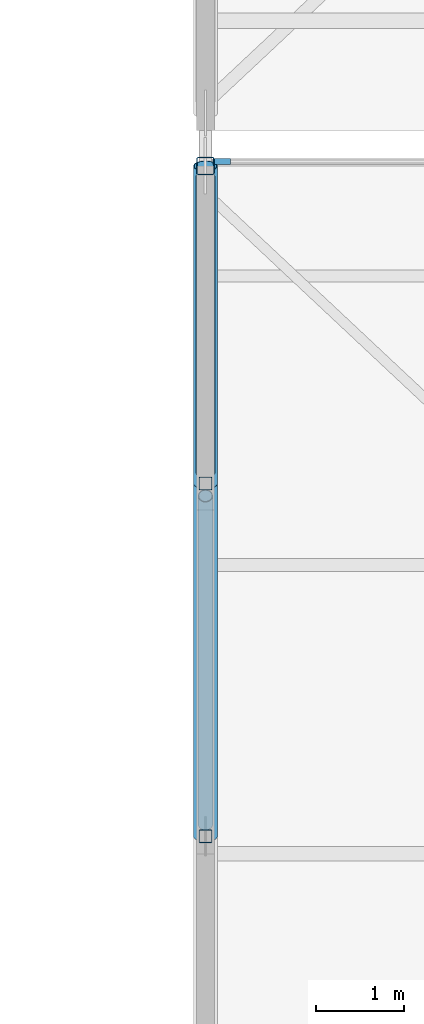
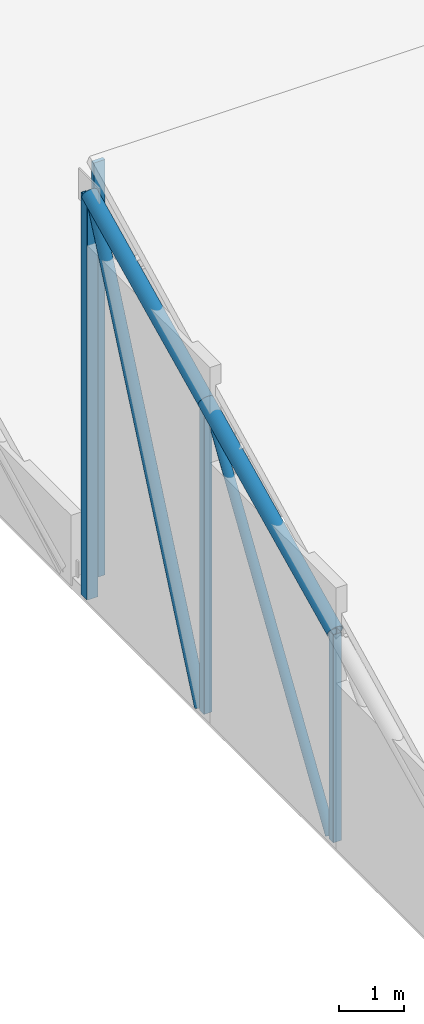
# One storey, part 39 of 137: 8 members, 1 element without a shape of its own.
"""IFC4 building model written with IfcOpenShell, lengths in metres."""

from ifc_helpers import new_model, si_unit, direction, frame, origin, origin_2d, place, context, subcontext, project, spatial, rectangle, hollow_rectangle, hollow_circle, extrude, material, layer, layer_set, material_profile, profile_set, type_object, element, aggregate, save


model = new_model("IFC4")

# Units and contexts
model_context = context("Model", 3, precision=1e-05, world=origin(), true_north=direction((0.0, 1.0)))
body_context = subcontext(model_context, "Body", "Model", "MODEL_VIEW")
ifc_project = project(units=[si_unit("LENGTHUNIT", "METRE"), si_unit("AREAUNIT", "SQUARE_METRE"), si_unit("VOLUMEUNIT", "CUBIC_METRE"), si_unit("PLANEANGLEUNIT", "RADIAN"), si_unit("MASSUNIT", "GRAM", prefix="KILO")], contexts=[model_context])

# Site, building, storey
site_placement = place(None, origin())
site = spatial("IfcSite", under=ifc_project, at=site_placement, CompositionType="ELEMENT")
building_placement = place(site_placement, origin())
building = spatial("IfcBuilding", under=site, at=building_placement, Name="Jelvoka-Kovrelna Polytechnic", CompositionType="ELEMENT")
storey_placement = place(building_placement, frame((0.0, 0.0, 9.60009765625)))
storey = spatial("IfcBuildingStorey", under=building, at=storey_placement, Name="L03", CompositionType="ELEMENT", Elevation=9.60009765625)

# Members
ifc_material_1 = material(Name="Structural steel S355J2H", Category="steel")
ifc_material_profile_1 = material_profile(ifc_material_1, hollow_circle(Radius=0.084228515625, WallThickness=0.008056640625, at=origin_2d()), Name="168.3x8.0 CHS")
ifc_profile_set_1 = profile_set([ifc_material_profile_1], Name="Structural steel S355J2H")
member_type_1 = type_object("IfcMemberType", Name="Member_Brace_CHS168", PredefinedType="BRACE", material=ifc_profile_set_1)
member_1_placement = place(storey_placement, frame((88.0, 96.139892578125, 0.14990234375), z_axis=(0.0, 0.5415746521, 0.840652660855), x_axis=(-1.0, 0.0, 0.0)))
element("IfcMember", 1, at=member_1_placement, inside=storey, type_object=member_type_1, Name="Sawtooth truss 1 diagonal web 1.3", PredefinedType="BRACE", context=body_context, shape_type="SweptSolid", body=[
    extrude(hollow_circle(Radius=0.084228515625, WallThickness=0.008056640625, at=origin_2d()), origin(), (0.0, 0.0, 1.0), 6.869140625),
])
ifc_material_2 = material(Name="Structural steel S355J2H", Category="steel")
ifc_material_profile_2 = material_profile(ifc_material_2, hollow_circle(Radius=0.109619140625, WallThickness=0.008056640625, at=origin_2d()), Name="219.1x8.0 CHS")
ifc_profile_set_2 = profile_set([ifc_material_profile_2], Name="Structural steel S355J2H")
member_type_2 = type_object("IfcMemberType", Name="Member_Brace_CHS219", PredefinedType="BRACE", material=ifc_profile_set_2)
member_2_placement = place(storey_placement, frame((88.0, 100.139892578125, 0.14990234375), z_axis=(0.0, 0.404336237521, 0.914610412705), x_axis=(-1.0, 0.0, 0.0)))
element("IfcMember", 2, at=member_2_placement, inside=storey, type_object=member_type_2, Name="Sawtooth truss 1 diagonal web 1.4", PredefinedType="BRACE", context=body_context, shape_type="SweptSolid", body=[
    extrude(hollow_circle(Radius=0.109619140625, WallThickness=0.008056640625, at=origin_2d()), origin(), (0.0, 0.0, 1.0), 8.211181640625),
])
ifc_material_3 = material(Name="Structural steel S355J2H", Category="steel")
ifc_material_profile_3 = material_profile(ifc_material_3, hollow_circle(Radius=0.136474609375, WallThickness=0.010009765625, at=origin_2d()), Name="273.0x10.0 CHS")
ifc_profile_set_3 = profile_set([ifc_material_profile_3], Name="Structural steel S355J2H")
member_type_3 = type_object("IfcMemberType", Name="Member_Chord_CHS273", PredefinedType="CHORD", material=ifc_profile_set_3)
member_3_placement = place(storey_placement, frame((88.0, 96.0, 4.076416015625), z_axis=(0.0, 0.900820911068, 0.434190840741), x_axis=(-1.0, 0.0, 0.0)))
element("IfcMember", 3, at=member_3_placement, inside=storey, type_object=member_type_3, Name="Sawtooth truss 1 top chord 1.3", PredefinedType="CHORD", context=body_context, shape_type="SweptSolid", body=[
    extrude(hollow_circle(Radius=0.136474609375, WallThickness=0.010009765625, at=origin_2d()), origin(), (0.0, 0.0, 1.0), 4.4404296875),
])
member_4_placement = place(storey_placement, frame((88.0, 100.0, 6.00439453125), z_axis=(0.0, 0.900784896778, 0.434265552095), x_axis=(-1.0, 0.0, 0.0)))
element("IfcMember", 4, at=member_4_placement, inside=storey, type_object=member_type_3, Name="Sawtooth truss 1 top chord 1.4", PredefinedType="CHORD", context=body_context, shape_type="SweptSolid", body=[
    extrude(hollow_circle(Radius=0.136474609375, WallThickness=0.010009765625, at=origin_2d()), origin(), (0.0, 0.0, 1.0), 3.99658203125),
])
ifc_material_4 = material(Name="Structural steel S355J2H", Category="steel")
ifc_material_profile_4 = material_profile(ifc_material_4, hollow_rectangle(XDim=0.14990234375, YDim=0.14990234375, WallThickness=0.008056640625, InnerFilletRadius=0.008056640625, OuterFilletRadius=0.011962890625, at=origin_2d()), Name="150x150x8.0 SHS")
ifc_profile_set_4 = profile_set([ifc_material_profile_4], Name="Structural steel S355J2H")
member_type_4 = type_object("IfcMemberType", Name="Member_Post_SHS150", PredefinedType="POST", material=ifc_profile_set_4)
member_5_placement = place(storey_placement, frame((88.0, 96.0, 0.14990234375), z_axis=(0.0, 0.0, 1.0), x_axis=(1.0, 0.0, 0.0)))
element("IfcMember", 5, at=member_5_placement, inside=storey, type_object=member_type_4, Name="Sawtooth truss 1 web post 1.3", PredefinedType="POST", context=body_context, shape_type="SweptSolid", body=[
    extrude(hollow_rectangle(XDim=0.14990234375, YDim=0.14990234375, WallThickness=0.008056640625, InnerFilletRadius=0.008056640625, OuterFilletRadius=0.011962890625, at=origin_2d()), origin(), (0.0, 0.0, 1.0), 3.926513671875),
])
member_6_placement = place(storey_placement, frame((88.0, 100.0, 0.14990234375), z_axis=(0.0, 0.0, 1.0), x_axis=(1.0, 0.0, 0.0)))
element("IfcMember", 6, at=member_6_placement, inside=storey, type_object=member_type_4, Name="Sawtooth truss 1 web post 1.4", PredefinedType="POST", context=body_context, shape_type="SweptSolid", body=[
    extrude(hollow_rectangle(XDim=0.14990234375, YDim=0.14990234375, WallThickness=0.008056640625, InnerFilletRadius=0.008056640625, OuterFilletRadius=0.011962890625, at=origin_2d()), origin(), (0.0, 0.0, 1.0), 5.8544921875),
])
ifc_material_5 = material(Name="Structural steel S355J2H", Category="steel")
ifc_material_profile_5 = material_profile(ifc_material_5, hollow_rectangle(XDim=0.199951171875, YDim=0.199951171875, WallThickness=0.010009765625, InnerFilletRadius=0.010009765625, OuterFilletRadius=0.014892578125, at=origin_2d()), Name="200x200x10.0 SHS")
ifc_profile_set_5 = profile_set([ifc_material_profile_5], Name="Structural steel S355J2H")
member_type_5 = type_object("IfcMemberType", Name="Member_Post_SHS200", PredefinedType="POST", material=ifc_profile_set_5)
member_7_placement = place(storey_placement, frame((88.0, 103.60009765625, 0.14990234375), z_axis=(0.0, 0.0, 1.0), x_axis=(1.0, 0.0, 0.0)))
element("IfcMember", 7, at=member_7_placement, inside=storey, type_object=member_type_5, Name="Sawtooth truss 1 web post 1.5", PredefinedType="POST", context=body_context, shape_type="SweptSolid", body=[
    extrude(hollow_rectangle(XDim=0.199951171875, YDim=0.199951171875, WallThickness=0.010009765625, InnerFilletRadius=0.010009765625, OuterFilletRadius=0.014892578125, at=origin_2d()), origin(), (0.0, 0.0, 1.0), 7.590087890625),
])

# Curtain wall, member
ifc_material_6 = material(Name="Anodised aluminium 6063-T6", Category="aluminium")
ifc_layer = layer(ifc_material_6, 0.199951171875)
ifc_layer_set = layer_set([ifc_layer], Name="Anodised aluminium 6063-T6")
curtain_wall_type = type_object("IfcCurtainWallType", Name="CW_Clerestory", PredefinedType="NOTDEFINED", material=ifc_layer_set)
curtain_wall_placement = place(storey_placement, origin())
curtain_wall = element("IfcCurtainWall", 8, at=curtain_wall_placement, inside=storey, type_object=curtain_wall_type, Name="L03 glazed curtain wall 183", PredefinedType="NOTDEFINED")
ifc_material_7 = material(Name="Anodised aluminium 6063-T6", Category="aluminium")
ifc_material_profile_6 = material_profile(ifc_material_7, rectangle(XDim=0.070068359375, YDim=0.199951171875, at=origin_2d()), Name="ALU 70x200")
ifc_profile_set_6 = profile_set([ifc_material_profile_6], Name="Anodised aluminium 6063-T6")
member_type_6 = type_object("IfcMemberType", Name="Mullion_M-03", PredefinedType="MULLION", material=ifc_profile_set_6)
member_8_placement = place(storey_placement, frame((88.18505859375, 103.64990234375, 0.425048828125), z_axis=(0.0, 0.0, 1.0), x_axis=(0.0, 1.0, 0.0)))
member_8 = element("IfcMember", 9, at=member_8_placement, type_object=member_type_6, Name="CW-03 mullion 1", PredefinedType="MULLION", context=body_context, shape_type="SweptSolid", body=[
    extrude(rectangle(XDim=0.070068359375, YDim=0.199951171875, at=origin_2d()), origin(), (0.0, 0.0, 1.0), 7.85009765625),
])
aggregate(curtain_wall, [member_8])

save(model, "model.ifc")
